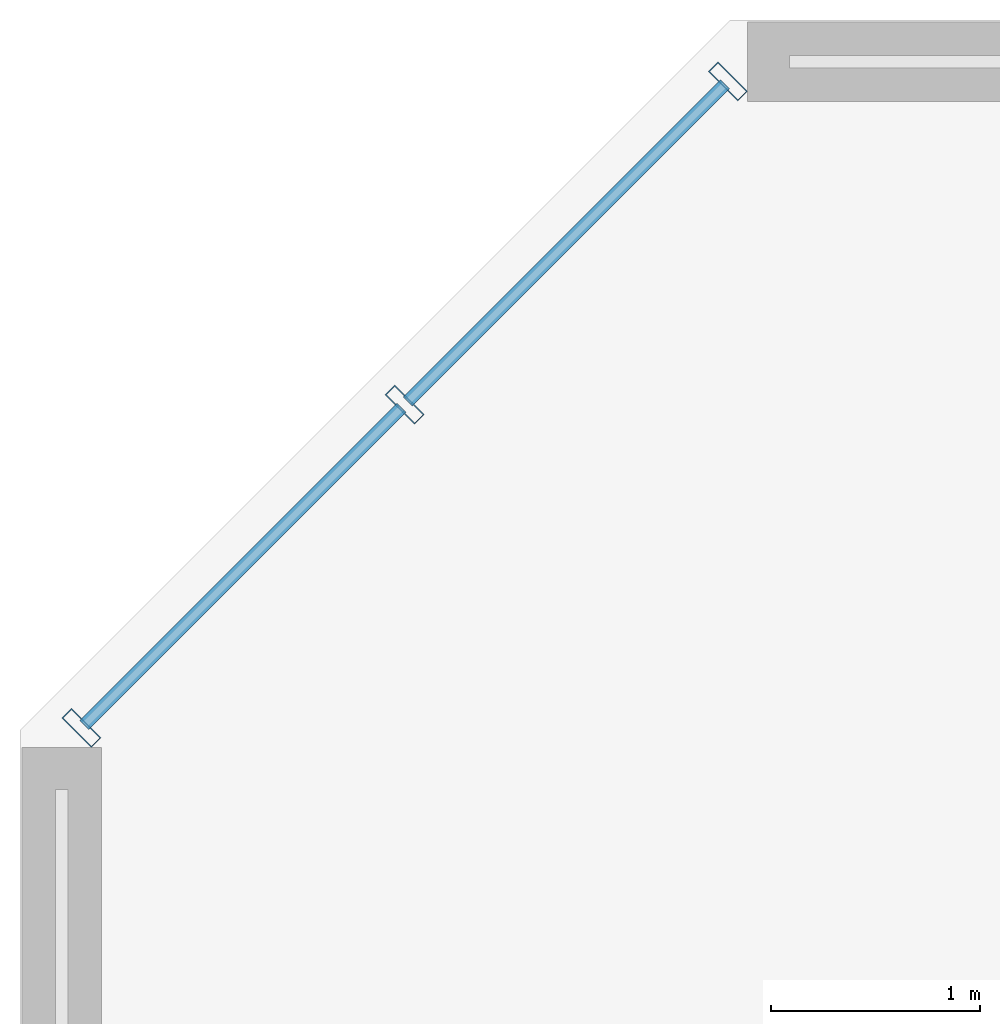
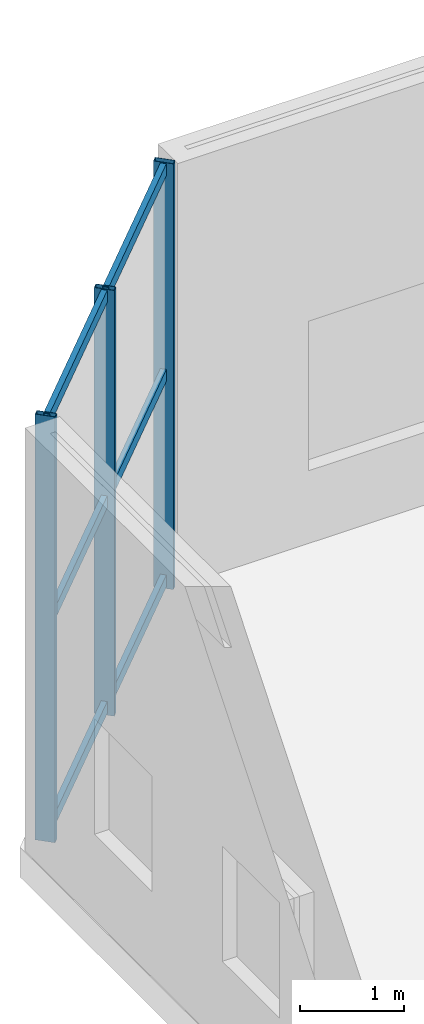
# One storey, part 4 of 23: 9 members, 1 element without a shape of its own.
"""IFC4 building model written with IfcOpenShell, lengths in metres."""

from ifc_helpers import new_model, si_unit, direction, frame, origin, origin_2d, place, context, subcontext, project, spatial, hollow_rectangle, extrude, source, transform, mapped, material, material_profile, profile_set, type_object, element, aggregate, save


model = new_model("IFC4")

# Units and contexts
model_context = context("Model", 3, precision=1e-05, world=origin(), true_north=direction((0.0, 1.0)))
body_context = subcontext(model_context, "Body", "Model", "MODEL_VIEW")
ifc_project = project(units=[si_unit("LENGTHUNIT", "METRE"), si_unit("AREAUNIT", "SQUARE_METRE"), si_unit("VOLUMEUNIT", "CUBIC_METRE"), si_unit("PLANEANGLEUNIT", "RADIAN"), si_unit("MASSUNIT", "GRAM", prefix="KILO")], contexts=[model_context])

# Site, building, storey
site_placement = place(None, origin())
site = spatial("IfcSite", under=ifc_project, at=site_placement, CompositionType="ELEMENT")
building_placement = place(site_placement, origin())
building = spatial("IfcBuilding", under=site, at=building_placement, Name="Tlacorven Tower", CompositionType="ELEMENT")
storey_placement = place(building_placement, frame((0.0, 0.0, 18.60009765625)))
storey = spatial("IfcBuildingStorey", under=building, at=storey_placement, Name="L04", CompositionType="ELEMENT", Elevation=18.60009765625)

# Curtain wall, members
ifc_material_1 = material(Name="Dark solar low-E double glazing in aluminium frame", Category="aluminium")
curtain_wall_type = type_object("IfcCurtainWallType", Name="CW-POD-CLINIC", PredefinedType="USERDEFINED", material=ifc_material_1)
curtain_wall_placement = place(storey_placement, origin())
curtain_wall = element("IfcCurtainWall", 1, at=curtain_wall_placement, inside=storey, type_object=curtain_wall_type, Name="L04 Podium Chamfer Curtain Wall 3", ObjectType="UNITISED CURTAIN WALL", PredefinedType="USERDEFINED")
ifc_material_2 = material(Name="Aluminium 6063-T6 anodised", Category="aluminium")
ifc_material_profile_1 = material_profile(ifc_material_2, hollow_rectangle(XDim=0.06005859375, YDim=0.139892578125, WallThickness=0.00390625, at=origin_2d()), Name="ALU TRANSOM 60X140")
ifc_profile_set_1 = profile_set([ifc_material_profile_1], Name="Aluminium 6063-T6 anodised")
member_type_1 = type_object("IfcMemberType", Name="CWT-02", PredefinedType="USERDEFINED", material=ifc_profile_set_1)
shared_shape_1 = source(origin(), body_context, "Body", "SweptSolid", [
    extrude(hollow_rectangle(XDim=0.06005859375, YDim=0.139892578125, WallThickness=0.00390625, at=origin_2d()), origin(), (0.0, 0.0, 1.0), 2.14794921875),
])
member_1_placement = place(storey_placement, frame((1.708251953125, 43.225341796875, 0.06982421875), z_axis=(0.707106781187, 0.707106781187, 0.0), x_axis=(-0.707106781187, 0.707106781187, 0.0)))
member_1 = element("IfcMember", 2, at=member_1_placement, type_object=member_type_1, Name="CW-L04-018 Transom 1", ObjectType="TRANSOM", PredefinedType="USERDEFINED", context=body_context, shape_type="MappedRepresentation", body=[
    mapped(shared_shape_1, transform((0.0, 0.0, 0.0), scale=1.0)),
])
member_2_placement = place(storey_placement, frame((1.708251953125, 43.225341796875, 2.474853515625), z_axis=(0.707106781187, 0.707106781187, 0.0), x_axis=(-0.707106781187, 0.707106781187, 0.0)))
member_2 = element("IfcMember", 3, at=member_2_placement, type_object=member_type_1, Name="CW-L04-018 Transom 2", ObjectType="TRANSOM", PredefinedType="USERDEFINED", context=body_context, shape_type="MappedRepresentation", body=[
    mapped(shared_shape_1, transform((0.0, 0.0, 0.0), scale=1.0)),
])
member_3_placement = place(storey_placement, frame((1.708251953125, 43.225341796875, 4.8798828125), z_axis=(0.707106781187, 0.707106781187, 0.0), x_axis=(-0.707106781187, 0.707106781187, 0.0)))
member_3 = element("IfcMember", 4, at=member_3_placement, type_object=member_type_1, Name="CW-L04-018 Transom 3", ObjectType="TRANSOM", PredefinedType="USERDEFINED", context=body_context, shape_type="MappedRepresentation", body=[
    mapped(shared_shape_1, transform((0.0, 0.0, 0.0), scale=1.0)),
])
member_4_placement = place(storey_placement, frame((3.255859375, 44.77294921875, 0.06982421875), z_axis=(0.707106781187, 0.707106781187, 0.0), x_axis=(-0.707106781187, 0.707106781187, 0.0)))
member_4 = element("IfcMember", 5, at=member_4_placement, type_object=member_type_1, Name="CW-L04-018 Transom 4", ObjectType="TRANSOM", PredefinedType="USERDEFINED", context=body_context, shape_type="MappedRepresentation", body=[
    mapped(shared_shape_1, transform((0.0, 0.0, 0.0), scale=1.0)),
])
member_5_placement = place(storey_placement, frame((3.255859375, 44.77294921875, 2.474853515625), z_axis=(0.707106781187, 0.707106781187, 0.0), x_axis=(-0.707106781187, 0.707106781187, 0.0)))
member_5 = element("IfcMember", 6, at=member_5_placement, type_object=member_type_1, Name="CW-L04-018 Transom 5", ObjectType="TRANSOM", PredefinedType="USERDEFINED", context=body_context, shape_type="MappedRepresentation", body=[
    mapped(shared_shape_1, transform((0.0, 0.0, 0.0), scale=1.0)),
])
member_6_placement = place(storey_placement, frame((3.255859375, 44.77294921875, 4.8798828125), z_axis=(0.707106781187, 0.707106781187, 0.0), x_axis=(-0.707106781187, 0.707106781187, 0.0)))
member_6 = element("IfcMember", 7, at=member_6_placement, type_object=member_type_1, Name="CW-L04-018 Transom 6", ObjectType="TRANSOM", PredefinedType="USERDEFINED", context=body_context, shape_type="MappedRepresentation", body=[
    mapped(shared_shape_1, transform((0.0, 0.0, 0.0), scale=1.0)),
])
ifc_material_profile_2 = material_profile(ifc_material_2, hollow_rectangle(XDim=0.06494140625, YDim=0.199951171875, WallThickness=0.00439453125, at=origin_2d()), Name="ALU MULLION 65X200")
ifc_profile_set_2 = profile_set([ifc_material_profile_2], Name="Aluminium 6063-T6 anodised")
member_type_2 = type_object("IfcMemberType", Name="CWM-02", PredefinedType="MULLION", material=ifc_profile_set_2)
shared_shape_2 = source(origin(), body_context, "Body", "SweptSolid", [
    extrude(hollow_rectangle(XDim=0.06494140625, YDim=0.199951171875, WallThickness=0.00439453125, at=origin_2d()), origin(), (0.0, 0.0, 1.0), 4.97998046875),
])
member_7_placement = place(storey_placement, frame((1.693603515625, 43.2109375, -0.02001953125), z_axis=(0.0, 0.0, 1.0), x_axis=(0.707106781187, 0.707106781187, 0.0)))
member_7 = element("IfcMember", 8, at=member_7_placement, type_object=member_type_2, Name="CW-L04-018 Mullion 1", PredefinedType="MULLION", context=body_context, shape_type="MappedRepresentation", body=[
    mapped(shared_shape_2, transform((0.0, 0.0, 0.0), scale=1.0)),
])
member_8_placement = place(storey_placement, frame((3.241455078125, 44.758544921875, -0.02001953125), z_axis=(0.0, 0.0, 1.0), x_axis=(0.707106781187, 0.707106781187, 0.0)))
member_8 = element("IfcMember", 9, at=member_8_placement, type_object=member_type_2, Name="CW-L04-018 Mullion 2", PredefinedType="MULLION", context=body_context, shape_type="MappedRepresentation", body=[
    mapped(shared_shape_2, transform((0.0, 0.0, 0.0), scale=1.0)),
])
member_9_placement = place(storey_placement, frame((4.7890625, 46.306396484375, -0.02001953125), z_axis=(0.0, 0.0, 1.0), x_axis=(0.707106781187, 0.707106781187, 0.0)))
member_9 = element("IfcMember", 10, at=member_9_placement, type_object=member_type_2, Name="CW-L04-018 Mullion 3", PredefinedType="MULLION", context=body_context, shape_type="MappedRepresentation", body=[
    mapped(shared_shape_2, transform((0.0, 0.0, 0.0), scale=1.0)),
])
aggregate(curtain_wall, [member_7, member_8, member_9, member_1, member_2, member_3, member_4, member_5, member_6])

save(model, "model.ifc")
